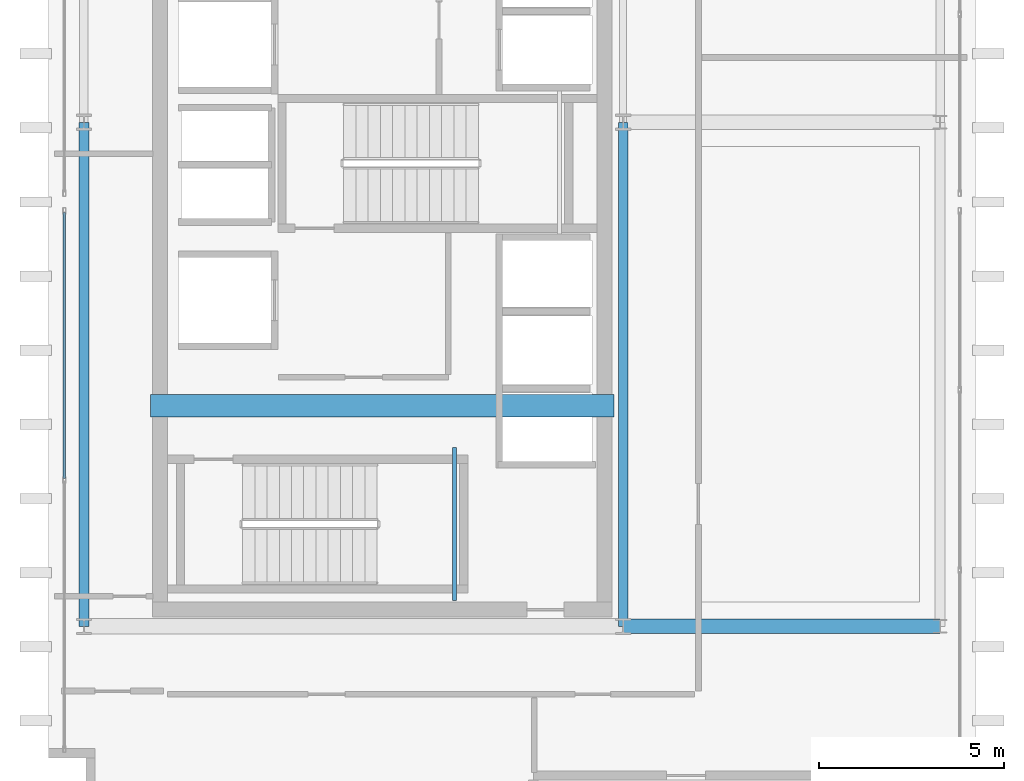
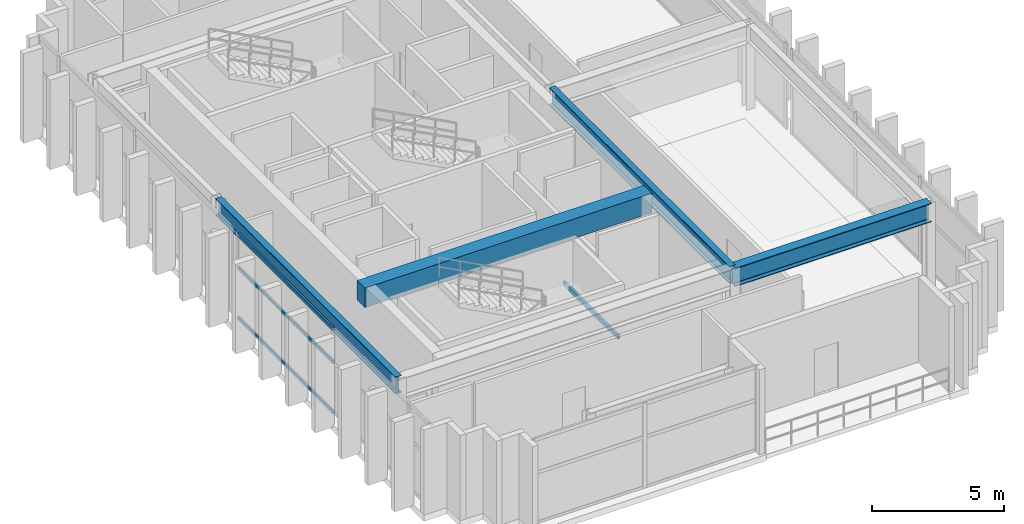
# One storey, part 3 of 14: 5 beams, 3 members, 1 element without a shape of its own.
"""IFC4 building model written with IfcOpenShell, lengths in metres."""

from ifc_helpers import new_model, si_unit, direction, frame, origin, origin_2d, place, context, subcontext, project, spatial, rectangle, hollow_rectangle, i_section, extrude, source, transform, mapped, material, layer, layer_set, material_profile, profile_set, type_object, element, aggregate, save


model = new_model("IFC4")

# Units and contexts
model_context = context("Model", 3, precision=1e-05, world=origin(), true_north=direction((0.0, 1.0)))
body_context = subcontext(model_context, "Body", "Model", "MODEL_VIEW")
ifc_project = project(units=[si_unit("LENGTHUNIT", "METRE"), si_unit("AREAUNIT", "SQUARE_METRE"), si_unit("VOLUMEUNIT", "CUBIC_METRE"), si_unit("PLANEANGLEUNIT", "RADIAN"), si_unit("MASSUNIT", "GRAM", prefix="KILO")], contexts=[model_context])

# Site, building, storey
site_placement = place(None, origin())
site = spatial("IfcSite", under=ifc_project, at=site_placement, CompositionType="ELEMENT")
building_placement = place(site_placement, origin())
building = spatial("IfcBuilding", under=site, at=building_placement, Name="Ocotamira Hotel", CompositionType="ELEMENT")
storey_placement = place(building_placement, frame((0.0, 0.0, 301.199951171875)))
storey = spatial("IfcBuildingStorey", under=building, at=storey_placement, Name="L77", CompositionType="ELEMENT", Elevation=301.199951171875)

# Beams
ifc_material_1 = material(Name="Concrete C50/60", Category="concrete")
ifc_material_profile_1 = material_profile(ifc_material_1, rectangle(XDim=0.60009765625, YDim=0.89990234375, at=origin_2d()), Name="RC600X900")
ifc_profile_set_1 = profile_set([ifc_material_profile_1], Name="Concrete C50/60")
beam_type_1 = type_object("IfcBeamType", Name="BM-LINK-RC600", PredefinedType="LINTEL", material=ifc_profile_set_1)
shared_shape_1 = source(origin(), body_context, "Body", "SweptSolid", [
    extrude(rectangle(XDim=0.60009765625, YDim=0.89990234375, at=origin_2d()), origin(), (0.0, 0.0, 1.0), 12.5),
])
beam_1_placement = place(storey_placement, frame((10.75, 20.5, 3.469970703125), z_axis=(1.0, 0.0, 0.0), x_axis=(0.0, 1.0, 0.0)))
element("IfcBeam", 1, at=beam_1_placement, inside=storey, type_object=beam_type_1, Name="L77 West Core Coupling Beam", PredefinedType="LINTEL", context=body_context, shape_type="MappedRepresentation", body=[
    mapped(shared_shape_1, transform((0.0, 0.0, 0.0), scale=1.0)),
])
ifc_material_2 = material(Name="Steel ASTM A500 Grade C", Category="steel")
ifc_material_profile_2 = material_profile(ifc_material_2, hollow_rectangle(XDim=0.10009765625, YDim=0.199951171875, WallThickness=0.008056640625, at=origin_2d()), Name="HSS200X100X8")
ifc_profile_set_2 = profile_set([ifc_material_profile_2], Name="Steel ASTM A500 Grade C")
beam_type_2 = type_object("IfcBeamType", Name="BM-STLDG-HSS200", PredefinedType="BEAM", material=ifc_profile_set_2)
shared_shape_2 = source(origin(), body_context, "Body", "SweptSolid", [
    extrude(hollow_rectangle(XDim=0.10009765625, YDim=0.199951171875, WallThickness=0.008056640625, at=origin_2d()), origin(), (0.0, 0.0, 1.0), 4.1201171875),
])
beam_2_placement = place(storey_placement, frame((18.949951171875, 15.25, 1.800048828125), z_axis=(0.0, 1.0, 0.0), x_axis=(-1.0, 0.0, 0.0)))
element("IfcBeam", 2, at=beam_2_placement, inside=storey, type_object=beam_type_2, Name="L77 Stair ST-1 Landing Bearer 1", PredefinedType="BEAM", context=body_context, shape_type="MappedRepresentation", body=[
    mapped(shared_shape_2, transform((0.0, 0.0, 0.0), scale=1.0)),
])
ifc_material_3 = material(Name="Steel ASTM A992 Grade 50", Category="steel")
ifc_material_profile_3 = material_profile(ifc_material_3, i_section(OverallWidth=0.26611328125, OverallDepth=0.779052734375, WebThickness=0.0166015625, FlangeThickness=0.030029296875, FilletRadius=0.01806640625, at=origin_2d()), Name="W30X148")
ifc_profile_set_3 = profile_set([ifc_material_profile_3], Name="Steel ASTM A992 Grade 50")
beam_type_3 = type_object("IfcBeamType", Name="BM-GIRD-W30X148", PredefinedType="BEAM", material=ifc_profile_set_3)
shared_shape_3 = source(origin(), body_context, "Body", "SweptSolid", [
    extrude(i_section(OverallWidth=0.26611328125, OverallDepth=0.779052734375, WebThickness=0.0166015625, FlangeThickness=0.030029296875, FilletRadius=0.01806640625, at=origin_2d()), origin(), (0.0, 0.0, 1.0), 13.599853515625),
])
for number, where, z_axis, x_axis, name in (
    (3, (8.949951171875, 14.550048828125, 3.530517578125), (0.0, 1.0, 0.0), (-1.0, 0.0, 0.0), "L77 Beam X8.95 Y14.55-28.15"),
    (4, (23.5, 14.550048828125, 3.530517578125), (0.0, 1.0, 0.0), (-1.0, 0.0, 0.0), "L77 Beam X23.5 Y14.55-28.15"),
):
    element("IfcBeam", number, at=place(storey_placement, frame(where, z_axis=z_axis, x_axis=x_axis)), inside=storey, type_object=beam_type_3, Name=name, PredefinedType="BEAM", context=body_context, shape_type="MappedRepresentation", body=[
        mapped(shared_shape_3, transform((0.0, 0.0, 0.0), scale=1.0)),
    ])
ifc_material_profile_4 = material_profile(ifc_material_3, i_section(OverallWidth=0.39990234375, OverallDepth=0.85595703125, WebThickness=0.018310546875, FlangeThickness=0.029296875, FilletRadius=0.02001953125, at=origin_2d()), Name="W33X201")
ifc_profile_set_4 = profile_set([ifc_material_profile_4], Name="Steel ASTM A992 Grade 50")
beam_type_4 = type_object("IfcBeamType", Name="BM-GIRD-W33X201", PredefinedType="BEAM", material=ifc_profile_set_4)
shared_shape_4 = source(origin(), body_context, "Body", "SweptSolid", [
    extrude(i_section(OverallWidth=0.39990234375, OverallDepth=0.85595703125, WebThickness=0.018310546875, FlangeThickness=0.029296875, FilletRadius=0.02001953125, at=origin_2d()), origin(), (0.0, 0.0, 1.0), 8.550048828125),
])
beam_3_placement = place(storey_placement, frame((23.5, 14.550048828125, 3.491943359375), z_axis=(1.0, 0.0, 0.0), x_axis=(0.0, 1.0, 0.0)))
element("IfcBeam", 5, at=beam_3_placement, inside=storey, type_object=beam_type_4, Name="L77 Girder Y14.55 X23.5-32.05", PredefinedType="BEAM", context=body_context, shape_type="MappedRepresentation", body=[
    mapped(shared_shape_4, transform((0.0, 0.0, 0.0), scale=1.0)),
])

# Curtain wall, members
ifc_material_4 = material(Name="Anodised pale-metal aluminium and solar glass", Category="aluminium")
ifc_layer = layer(ifc_material_4, 0.2099609375)
ifc_layer_set = layer_set([ifc_layer], Name="Anodised pale-metal aluminium and solar glass")
curtain_wall_type = type_object("IfcCurtainWallType", Name="CW-SYS7-PEAK", PredefinedType="NOTDEFINED", material=ifc_layer_set)
curtain_wall_placement = place(storey_placement, origin())
curtain_wall = element("IfcCurtainWall", 6, at=curtain_wall_placement, inside=storey, type_object=curtain_wall_type, Name="L77 Curtain Wall CW-7 CW-L77-W1", PredefinedType="NOTDEFINED")
ifc_material_5 = material(Name="Anodised pale-metal aluminium 6063-T6", Category="aluminium")
ifc_material_profile_5 = material_profile(ifc_material_5, hollow_rectangle(XDim=0.074951171875, YDim=0.14990234375, WallThickness=0.006103515625, at=origin_2d()), Name="HSS150X75X6")
ifc_profile_set_5 = profile_set([ifc_material_profile_5], Name="Anodised pale-metal aluminium 6063-T6")
member_type = type_object("IfcMemberType", Name="CWT-150X75", PredefinedType="USERDEFINED", material=ifc_profile_set_5)
shared_shape_5 = source(origin(), body_context, "Body", "SweptSolid", [
    extrude(hollow_rectangle(XDim=0.074951171875, YDim=0.14990234375, WallThickness=0.006103515625, at=origin_2d()), origin(), (0.0, 0.0, 1.0), 7.179931640625),
])
member_1_placement = place(storey_placement, frame((8.419921875, 18.5400390625, 0.03759765625), z_axis=(0.0, 1.0, 0.0), x_axis=(-1.0, 0.0, 0.0)))
member_1 = element("IfcMember", 7, at=member_1_placement, type_object=member_type, Name="CW-7 transom 2.1", ObjectType="TRANSOM", PredefinedType="USERDEFINED", context=body_context, shape_type="MappedRepresentation", body=[
    mapped(shared_shape_5, transform((0.0, 0.0, 0.0), scale=1.0)),
])
member_2_placement = place(storey_placement, frame((8.419921875, 18.5400390625, 2.35009765625), z_axis=(0.0, 1.0, 0.0), x_axis=(-1.0, 0.0, 0.0)))
member_2 = element("IfcMember", 8, at=member_2_placement, type_object=member_type, Name="CW-7 transom 2.2", ObjectType="TRANSOM", PredefinedType="USERDEFINED", context=body_context, shape_type="MappedRepresentation", body=[
    mapped(shared_shape_5, transform((0.0, 0.0, 0.0), scale=1.0)),
])
member_3_placement = place(storey_placement, frame((8.419921875, 18.5400390625, 3.882568359375), z_axis=(0.0, 1.0, 0.0), x_axis=(-1.0, 0.0, 0.0)))
member_3 = element("IfcMember", 9, at=member_3_placement, type_object=member_type, Name="CW-7 transom 2.3", ObjectType="TRANSOM", PredefinedType="USERDEFINED", context=body_context, shape_type="MappedRepresentation", body=[
    mapped(shared_shape_5, transform((0.0, 0.0, 0.0), scale=1.0)),
])
aggregate(curtain_wall, [member_1, member_2, member_3])

save(model, "model.ifc")
